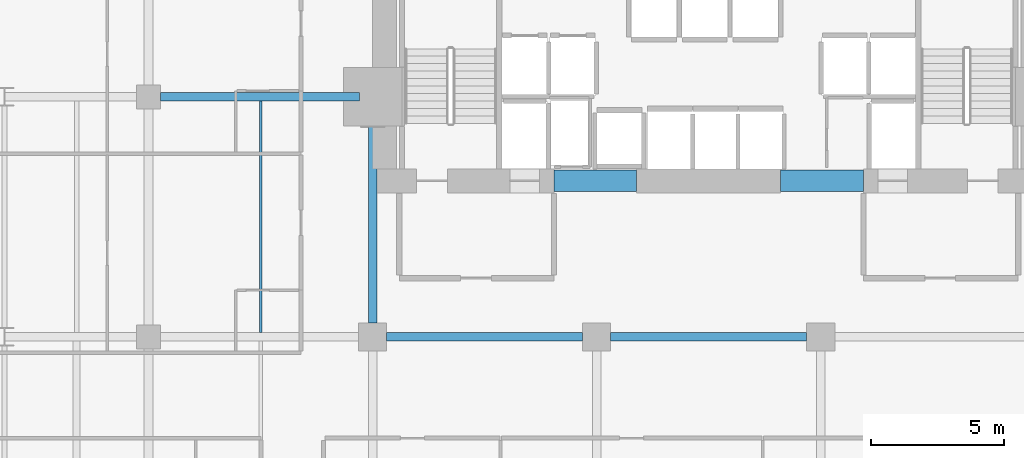
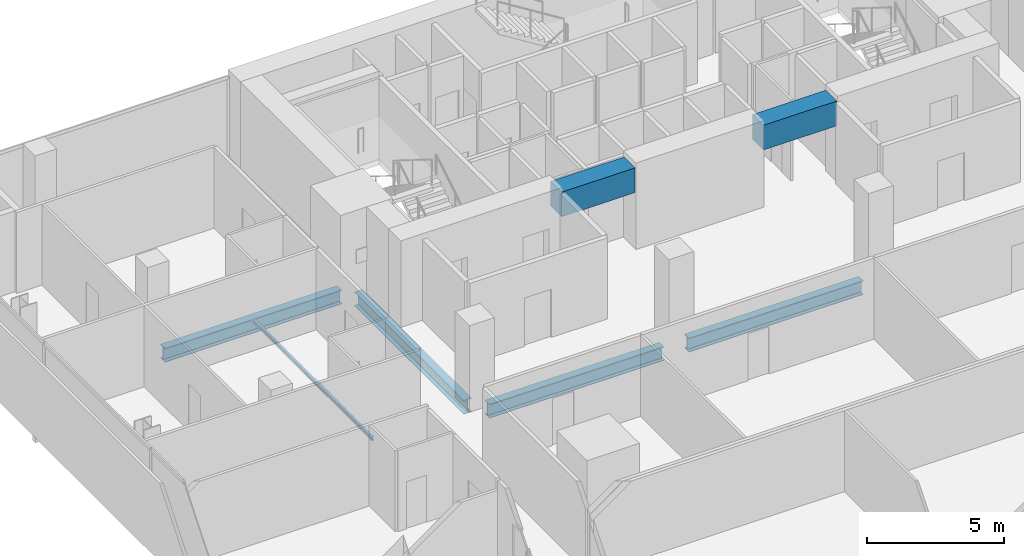
# One storey, part 24 of 39: 7 beams.
"""IFC4 building model written with IfcOpenShell, lengths in metres."""

from ifc_helpers import new_model, si_unit, direction, frame, origin, origin_2d, place, context, subcontext, project, spatial, rectangle, i_section, extrude, material, material_profile, profile_set, type_object, element, save


model = new_model("IFC4")

# Units and contexts
model_context = context("Model", 3, precision=1e-05, world=origin(), true_north=direction((0.0, 1.0)))
body_context = subcontext(model_context, "Body", "Model", "MODEL_VIEW")
ifc_project = project(units=[si_unit("LENGTHUNIT", "METRE"), si_unit("AREAUNIT", "SQUARE_METRE"), si_unit("VOLUMEUNIT", "CUBIC_METRE"), si_unit("PLANEANGLEUNIT", "RADIAN"), si_unit("MASSUNIT", "GRAM", prefix="KILO")], contexts=[model_context])

# Site, building, storey
site_placement = place(None, origin())
site = spatial("IfcSite", under=ifc_project, at=site_placement, CompositionType="ELEMENT")
building_placement = place(site_placement, origin())
building = spatial("IfcBuilding", under=site, at=building_placement, Name="Maruvema Waterfront Hotel and Observation Tower", CompositionType="ELEMENT")
storey_placement = place(building_placement, frame((0.0, 0.0, 46.199951171875)))
storey = spatial("IfcBuildingStorey", under=building, at=storey_placement, Name="L10", CompositionType="ELEMENT", Elevation=46.199951171875)

# Beams
ifc_material_1 = material(Name="Concrete C60/75", Category="concrete")
ifc_material_profile_1 = material_profile(ifc_material_1, rectangle(XDim=0.800048828125, YDim=1.10009765625, at=origin_2d()), Name="CB800x1100")
ifc_profile_set_1 = profile_set([ifc_material_profile_1], Name="Concrete C60/75")
beam_type_1 = type_object("IfcBeamType", Name="Core Coupling Lintel Beam CB800x1100", PredefinedType="LINTEL", material=ifc_profile_set_1)
for number, where, z_axis, x_axis, name in (
    (1, (32.0, 41.85009765625, 3.06005859375), (1.0, 0.0, 0.0), (0.0, 1.0, 0.0), "L10 Core Coupling Lintel Beam West"),
    (2, (40.5, 41.85009765625, 3.06005859375), (1.0, 0.0, 0.0), (0.0, 1.0, 0.0), "L10 Core Coupling Lintel Beam East"),
):
    element("IfcBeam", number, at=place(storey_placement, frame(where, z_axis=z_axis, x_axis=x_axis)), inside=storey, type_object=beam_type_1, Name=name, PredefinedType="LINTEL", context=body_context, shape_type="SweptSolid", body=[
        extrude(rectangle(XDim=0.800048828125, YDim=1.10009765625, at=origin_2d()), origin(), (0.0, 0.0, 1.0), 3.10009765625),
    ])
ifc_material_2 = material(Name="Steel ASTM A572 Grade 50", Category="steel")
ifc_material_profile_2 = material_profile(ifc_material_2, i_section(OverallWidth=0.326904296875, OverallDepth=0.6220703125, WebThickness=0.015380859375, FlangeThickness=0.0244140625, FilletRadius=0.01806640625, at=origin_2d()), Name="W610x195.0")
ifc_profile_set_2 = profile_set([ifc_material_profile_2], Name="Steel ASTM A572 Grade 50")
beam_type_2 = type_object("IfcBeamType", Name="Primary Floor Girder W610x195.0", PredefinedType="BEAM", material=ifc_profile_set_2)
beam_1_placement = place(storey_placement, frame((25.72509765625, 36.0, -0.551025390625), z_axis=(1.0, 0.0, 0.0), x_axis=(0.0, 1.0, 0.0)))
element("IfcBeam", 3, at=beam_1_placement, inside=storey, type_object=beam_type_2, Name="L10 Floor Girder EW-27", PredefinedType="BEAM", context=body_context, shape_type="SweptSolid", body=[
    extrude(i_section(OverallWidth=0.326904296875, OverallDepth=0.6220703125, WebThickness=0.015380859375, FlangeThickness=0.0244140625, FilletRadius=0.01806640625, at=origin_2d()), origin(), (0.0, 0.0, 1.0), 7.349853515625),
])
beam_2_placement = place(storey_placement, frame((34.125, 36.0, -0.551025390625), z_axis=(1.0, 0.0, 0.0), x_axis=(0.0, 1.0, 0.0)))
element("IfcBeam", 4, at=beam_2_placement, inside=storey, type_object=beam_type_2, Name="L10 Floor Girder EW-28", PredefinedType="BEAM", context=body_context, shape_type="SweptSolid", body=[
    extrude(i_section(OverallWidth=0.326904296875, OverallDepth=0.6220703125, WebThickness=0.015380859375, FlangeThickness=0.0244140625, FilletRadius=0.01806640625, at=origin_2d()), origin(), (0.0, 0.0, 1.0), 7.35009765625),
])
beam_3_placement = place(storey_placement, frame((17.25, 45.0, -0.551025390625), z_axis=(1.0, 0.0, 0.0), x_axis=(0.0, 1.0, 0.0)))
element("IfcBeam", 5, at=beam_3_placement, inside=storey, type_object=beam_type_2, Name="L10 Floor Girder EW-33", PredefinedType="BEAM", context=body_context, shape_type="SweptSolid", body=[
    extrude(i_section(OverallWidth=0.326904296875, OverallDepth=0.6220703125, WebThickness=0.015380859375, FlangeThickness=0.0244140625, FilletRadius=0.01806640625, at=origin_2d()), origin(), (0.0, 0.0, 1.0), 7.449951171875),
])
beam_4_placement = place(storey_placement, frame((25.199951171875, 36.52490234375, -0.551025390625), z_axis=(0.0, 1.0, 0.0), x_axis=(-1.0, 0.0, 0.0)))
element("IfcBeam", 6, at=beam_4_placement, inside=storey, type_object=beam_type_2, Name="L10 Floor Girder NS-15", PredefinedType="BEAM", context=body_context, shape_type="SweptSolid", body=[
    extrude(i_section(OverallWidth=0.326904296875, OverallDepth=0.6220703125, WebThickness=0.015380859375, FlangeThickness=0.0244140625, FilletRadius=0.01806640625, at=origin_2d()), origin(), (0.0, 0.0, 1.0), 7.97509765625),
])
ifc_material_3 = material(Name="Steel ASTM A572 Grade 50", Category="steel")
ifc_material_profile_3 = material_profile(ifc_material_3, i_section(OverallWidth=0.10009765625, OverallDepth=0.153076171875, WebThickness=0.005859375, FlangeThickness=0.007080078125, FilletRadius=0.008056640625, at=origin_2d()), Name="W150x18.0")
ifc_profile_set_3 = profile_set([ifc_material_profile_3], Name="Steel ASTM A572 Grade 50")
beam_type_3 = type_object("IfcBeamType", Name="Secondary Floor Joist W150x18.0", PredefinedType="JOIST", material=ifc_profile_set_3)
beam_5_placement = place(storey_placement, frame((21.0, 36.16357421875, -0.31640625), z_axis=(0.0, 1.0, 0.0), x_axis=(-1.0, 0.0, 0.0)))
element("IfcBeam", 7, at=beam_5_placement, inside=storey, type_object=beam_type_3, Name="L10 Secondary Floor Joist JS-09", PredefinedType="JOIST", context=body_context, shape_type="SweptSolid", body=[
    extrude(i_section(OverallWidth=0.10009765625, OverallDepth=0.153076171875, WebThickness=0.005859375, FlangeThickness=0.007080078125, FilletRadius=0.008056640625, at=origin_2d()), origin(), (0.0, 0.0, 1.0), 8.6728515625),
])

save(model, "model.ifc")
